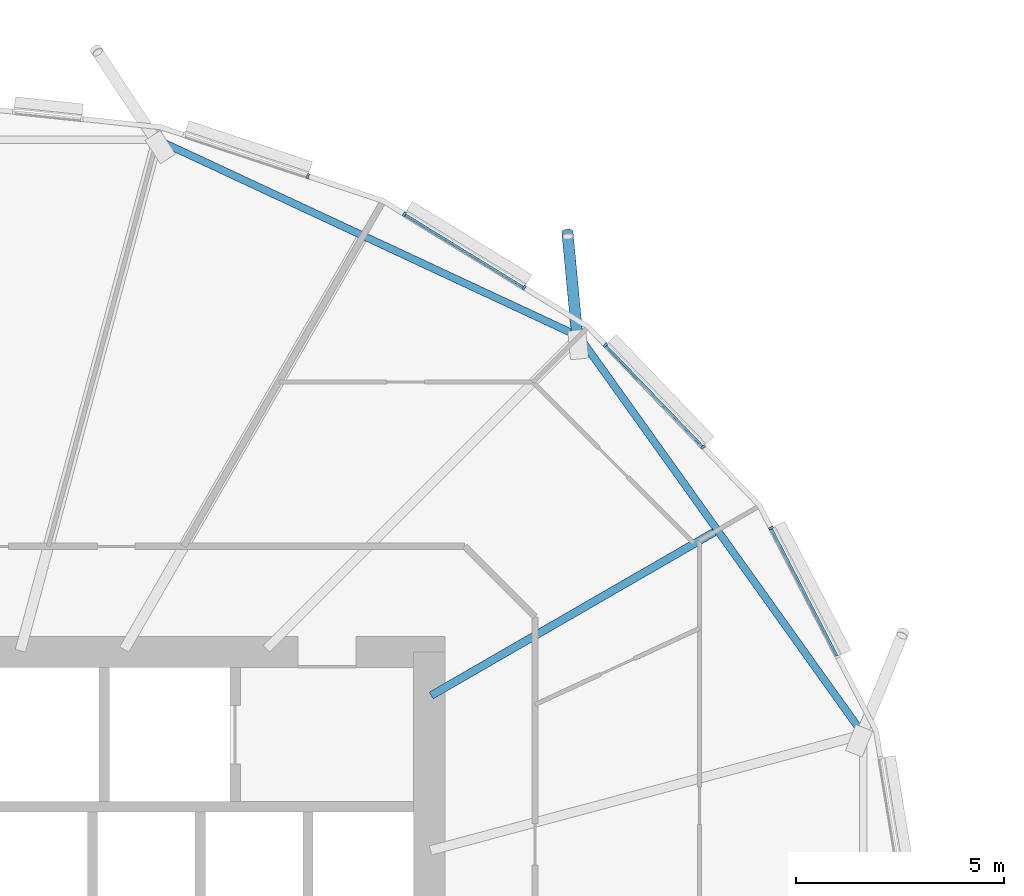
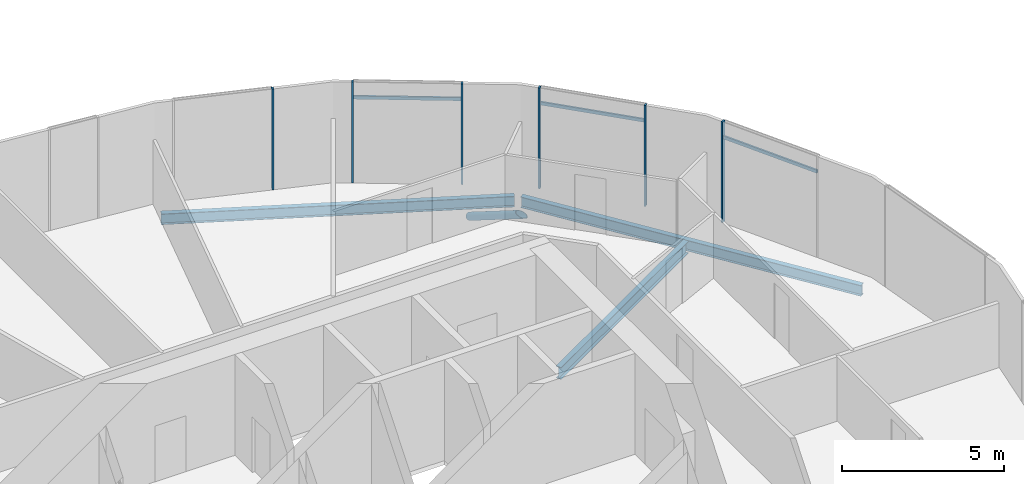
# One storey, part 11 of 40: 10 members, 3 beams, 1 element without a shape of its own.
"""IFC4 building model written with IfcOpenShell, lengths in metres."""

from ifc_helpers import new_model, si_unit, direction, frame, origin, origin_2d, place, context, subcontext, project, spatial, rectangle, hollow_circle, i_section, extrude, clip, halfspace, material, material_profile, profile_set, type_object, element, aggregate, save


model = new_model("IFC4")

# Units and contexts
model_context = context("Model", 3, precision=1e-05, world=origin(), true_north=direction((0.0, 1.0)))
body_context = subcontext(model_context, "Body", "Model", "MODEL_VIEW")
ifc_project = project(units=[si_unit("LENGTHUNIT", "METRE"), si_unit("AREAUNIT", "SQUARE_METRE"), si_unit("VOLUMEUNIT", "CUBIC_METRE"), si_unit("PLANEANGLEUNIT", "RADIAN"), si_unit("MASSUNIT", "GRAM", prefix="KILO")], contexts=[model_context])

# Site, building, storey
site_placement = place(None, origin())
site = spatial("IfcSite", under=ifc_project, at=site_placement, CompositionType="ELEMENT")
building_placement = place(site_placement, origin())
building = spatial("IfcBuilding", under=site, at=building_placement, Name="Rimbun Link Towers", CompositionType="ELEMENT")
storey_placement = place(building_placement, frame((0.0, 0.0, 89.199951171875)))
storey = spatial("IfcBuildingStorey", under=building, at=storey_placement, Name="L21", CompositionType="ELEMENT", Elevation=89.199951171875)

# Curtain wall, members
ifc_material_1 = material(Name="Aluminium 6063-T6 and low-iron glass", Category="aluminium")
curtain_wall_type = type_object("IfcCurtainWallType", Name="CW1-Z2 unitised vision wall (zone 2)", PredefinedType="NOTDEFINED", material=ifc_material_1)
curtain_wall_placement = place(storey_placement, origin())
curtain_wall = element("IfcCurtainWall", 1, at=curtain_wall_placement, inside=storey, type_object=curtain_wall_type, Name="CW1 L21 T1", PredefinedType="NOTDEFINED")
ifc_material_2 = material(Name="Aluminium 6063-T6", Category="aluminium")
ifc_material_profile_1 = material_profile(ifc_material_2, rectangle(XDim=0.1201171875, YDim=0.06005859375, at=origin_2d()), Name="MULLION 60X120")
ifc_profile_set_1 = profile_set([ifc_material_profile_1], Name="Aluminium 6063-T6")
member_type_1 = type_object("IfcMemberType", Name="CW1 mullion 60X120", PredefinedType="MULLION", material=ifc_profile_set_1)
member_1_placement = place(storey_placement, frame((-11.514404296875, 10.98779296875, 0.0), z_axis=(0.0, 0.0, 1.0), x_axis=(0.888154791602, 0.459544411514, 0.0)))
member_1 = element("IfcMember", 2, at=member_1_placement, type_object=member_type_1, Name="CW1 mullion", PredefinedType="MULLION", context=body_context, shape_type="SweptSolid", body=[
    extrude(rectangle(XDim=0.1201171875, YDim=0.06005859375, at=origin_2d()), origin(), (0.0, 0.0, 1.0), 3.800048828125),
])
member_2_placement = place(storey_placement, frame((-15.5029296875, 15.39697265625, 0.0), z_axis=(0.0, 0.0, 1.0), x_axis=(0.721839179549, 0.692060834658, 0.0)))
member_2 = element("IfcMember", 3, at=member_2_placement, type_object=member_type_1, Name="CW1 mullion", PredefinedType="MULLION", context=body_context, shape_type="SweptSolid", body=[
    extrude(rectangle(XDim=0.1201171875, YDim=0.06005859375, at=origin_2d()), origin(), (0.0, 0.0, 1.0), 3.800048828125),
])
member_3_placement = place(storey_placement, frame((-13.1494140625, 12.942138671875, 0.0), z_axis=(0.0, 0.0, 1.0), x_axis=(0.721839179549, 0.692060834658, 0.0)))
member_3 = element("IfcMember", 4, at=member_3_placement, type_object=member_type_1, Name="CW1 mullion", PredefinedType="MULLION", context=body_context, shape_type="SweptSolid", body=[
    extrude(rectangle(XDim=0.1201171875, YDim=0.06005859375, at=origin_2d()), origin(), (0.0, 0.0, 1.0), 3.800048828125),
])
member_4_placement = place(storey_placement, frame((-20.345458984375, 18.550537109375, 0.0), z_axis=(0.0, 0.0, 1.0), x_axis=(0.523237248968, 0.852187057689, 0.0)))
member_4 = element("IfcMember", 5, at=member_4_placement, type_object=member_type_1, Name="CW1 mullion", PredefinedType="MULLION", context=body_context, shape_type="SweptSolid", body=[
    extrude(rectangle(XDim=0.1201171875, YDim=0.06005859375, at=origin_2d()), origin(), (0.0, 0.0, 1.0), 3.800048828125),
])
member_5_placement = place(storey_placement, frame((-17.464111328125, 16.781494140625, 0.0), z_axis=(0.0, 0.0, 1.0), x_axis=(0.523237248968, 0.852187057689, 0.0)))
member_5 = element("IfcMember", 6, at=member_5_placement, type_object=member_type_1, Name="CW1 mullion", PredefinedType="MULLION", context=body_context, shape_type="SweptSolid", body=[
    extrude(rectangle(XDim=0.1201171875, YDim=0.06005859375, at=origin_2d()), origin(), (0.0, 0.0, 1.0), 3.800048828125),
])
member_6_placement = place(storey_placement, frame((-22.6728515625, 19.468017578125, 0.0), z_axis=(0.0, 0.0, 1.0), x_axis=(0.314576015911, 0.949232284646, 0.0)))
member_6 = element("IfcMember", 7, at=member_6_placement, type_object=member_type_1, Name="CW1 mullion", PredefinedType="MULLION", context=body_context, shape_type="SweptSolid", body=[
    extrude(rectangle(XDim=0.1201171875, YDim=0.06005859375, at=origin_2d()), origin(), (0.0, 0.0, 1.0), 3.800048828125),
])
ifc_material_3 = material(Name="Aluminium 6063-T6", Category="aluminium")
ifc_material_profile_2 = material_profile(ifc_material_3, rectangle(XDim=0.06005859375, YDim=0.1201171875, at=origin_2d()), Name="TRANSOM 60X120")
ifc_profile_set_2 = profile_set([ifc_material_profile_2], Name="Aluminium 6063-T6")
member_type_2 = type_object("IfcMemberType", Name="CW1 transom 60X120", PredefinedType="USERDEFINED", material=ifc_profile_set_2)
member_7_placement = place(storey_placement, frame((-11.502197265625, 10.960205078125, 3.199951171875), z_axis=(0.459554574482, -0.888149533059, 0.0), x_axis=(0.888149533059, 0.459554574482, 0.0)))
member_7 = element("IfcMember", 8, at=member_7_placement, type_object=member_type_2, Name="CW1 transom", ObjectType="TRANSOM", PredefinedType="USERDEFINED", context=body_context, shape_type="SweptSolid", body=[
    extrude(rectangle(XDim=0.06005859375, YDim=0.1201171875, at=origin_2d()), origin(), (0.0, 0.0, 1.0), 3.430419921875),
])
member_8_placement = place(storey_placement, frame((-15.483642578125, 15.373779296875, 3.199951171875), z_axis=(0.692078357172, -0.721822379491, 0.0), x_axis=(0.721822379491, 0.692078357172, 0.0)))
member_8 = element("IfcMember", 9, at=member_8_placement, type_object=member_type_2, Name="CW1 transom", ObjectType="TRANSOM", PredefinedType="USERDEFINED", context=body_context, shape_type="SweptSolid", body=[
    extrude(rectangle(XDim=0.06005859375, YDim=0.1201171875, at=origin_2d()), origin(), (0.0, 0.0, 1.0), 3.340576171875),
])
member_9_placement = place(storey_placement, frame((-20.32080078125, 18.533203125, 3.199951171875), z_axis=(0.852167775137, -0.523268652814, 0.0), x_axis=(0.523268652814, 0.852167775137, 0.0)))
member_9 = element("IfcMember", 10, at=member_9_placement, type_object=member_type_2, Name="CW1 transom", ObjectType="TRANSOM", PredefinedType="USERDEFINED", context=body_context, shape_type="SweptSolid", body=[
    extrude(rectangle(XDim=0.06005859375, YDim=0.1201171875, at=origin_2d()), origin(), (0.0, 0.0, 1.0), 3.321044921875),
])
aggregate(curtain_wall, [member_1, member_2, member_3, member_4, member_5, member_6, member_7, member_8, member_9])

# Member
ifc_material_4 = material(Name="Steel S355J2H", Category="steel")
ifc_material_profile_3 = material_profile(ifc_material_4, hollow_circle(Radius=0.136474609375, WallThickness=0.012451171875, at=origin_2d()), Name="CHS 273x12.5")
ifc_profile_set_3 = profile_set([ifc_material_profile_3], Name="Steel S355J2H")
member_type_3 = type_object("IfcMemberType", Name="Floor edge link CHS 273x12.5", PredefinedType="BRACE", material=ifc_profile_set_3)
member_10_placement = place(storey_placement, frame((-16.1787109375, 15.5712890625, -0.879638671875), z_axis=(-0.081277343799, 0.855132698816, -0.511998106247), x_axis=(-0.995513459543, -0.094620039462, 0.0)))
element("IfcMember", 11, at=member_10_placement, inside=storey, type_object=member_type_3, Name="Floor edge link T1 L21 03", PredefinedType="BRACE", context=body_context, shape_type="Clipping", body=[
    clip(extrude(hollow_circle(Radius=0.136474609375, WallThickness=0.012451171875, at=origin_2d()), frame((0.0, 0.0, -0.4775390625)), (0.0, 0.0, 1.0), 3.457275390625), halfspace(frame((0.0, 0.0, -0.224853515625), z_axis=(0.0, 0.858986576845, -0.511998106247)), False)),
])

# Beams
ifc_material_5 = material(Name="Steel S355J2", Category="steel")
ifc_material_profile_4 = material_profile(ifc_material_5, i_section(OverallWidth=0.177978515625, OverallDepth=0.406494140625, WebThickness=0.0078125, FlangeThickness=0.0126953125, at=origin_2d()), Name="UB 406x178x60")
ifc_profile_set_4 = profile_set([ifc_material_profile_4], Name="Steel S355J2")
beam_type_1 = type_object("IfcBeamType", Name="UB 406x178x60", PredefinedType="BEAM", material=ifc_profile_set_4)
beam_1_placement = place(storey_placement, frame((-9.363037109375, 6.117431640625, -0.363037109375), z_axis=(-0.581358194693, 0.813647742861, 0.0), x_axis=(-0.813647742861, -0.581358194693, 0.0)))
element("IfcBeam", 12, at=beam_1_placement, inside=storey, type_object=beam_type_1, Name="Edge beam T1 L21 01-03", PredefinedType="BEAM", context=body_context, shape_type="SweptSolid", body=[
    extrude(i_section(OverallWidth=0.177978515625, OverallDepth=0.406494140625, WebThickness=0.0078125, FlangeThickness=0.0126953125, at=origin_2d()), origin(), (0.0, 0.0, 1.0), 11.54638671875),
])
beam_2_placement = place(storey_placement, frame((-16.25390625, 15.658203125, -0.363037109375), z_axis=(-0.906374937351, 0.422474227548, 0.0), x_axis=(-0.422474227548, -0.906374937351, 0.0)))
element("IfcBeam", 13, at=beam_2_placement, inside=storey, type_object=beam_type_1, Name="Edge beam T1 L21 03-05", PredefinedType="BEAM", context=body_context, shape_type="SweptSolid", body=[
    extrude(i_section(OverallWidth=0.177978515625, OverallDepth=0.406494140625, WebThickness=0.0078125, FlangeThickness=0.0126953125, at=origin_2d()), origin(), (0.0, 0.0, 1.0), 10.953857421875),
])
ifc_material_6 = material(Name="Steel S355J2", Category="steel")
ifc_material_profile_5 = material_profile(ifc_material_6, i_section(OverallWidth=0.18994140625, OverallDepth=0.453369140625, WebThickness=0.008544921875, FlangeThickness=0.0126953125, at=origin_2d()), Name="UB 457x191x67")
ifc_profile_set_5 = profile_set([ifc_material_profile_5], Name="Steel S355J2")
beam_type_2 = type_object("IfcBeamType", Name="UB 457x191x67", PredefinedType="BEAM", material=ifc_profile_set_5)
beam_3_placement = place(storey_placement, frame((-19.70166015625, 6.9560546875, -0.38671875), z_axis=(0.866014617025, 0.50001868275, 0.0), x_axis=(-0.50001868275, 0.866014617025, 0.0)))
element("IfcBeam", 14, at=beam_3_placement, inside=storey, type_object=beam_type_2, Name="Radial beam T1 L21 02", PredefinedType="BEAM", context=body_context, shape_type="SweptSolid", body=[
    extrude(i_section(OverallWidth=0.18994140625, OverallDepth=0.453369140625, WebThickness=0.008544921875, FlangeThickness=0.0126953125, at=origin_2d()), origin(), (0.0, 0.0, 1.0), 7.871337890625),
])

save(model, "model.ifc")
